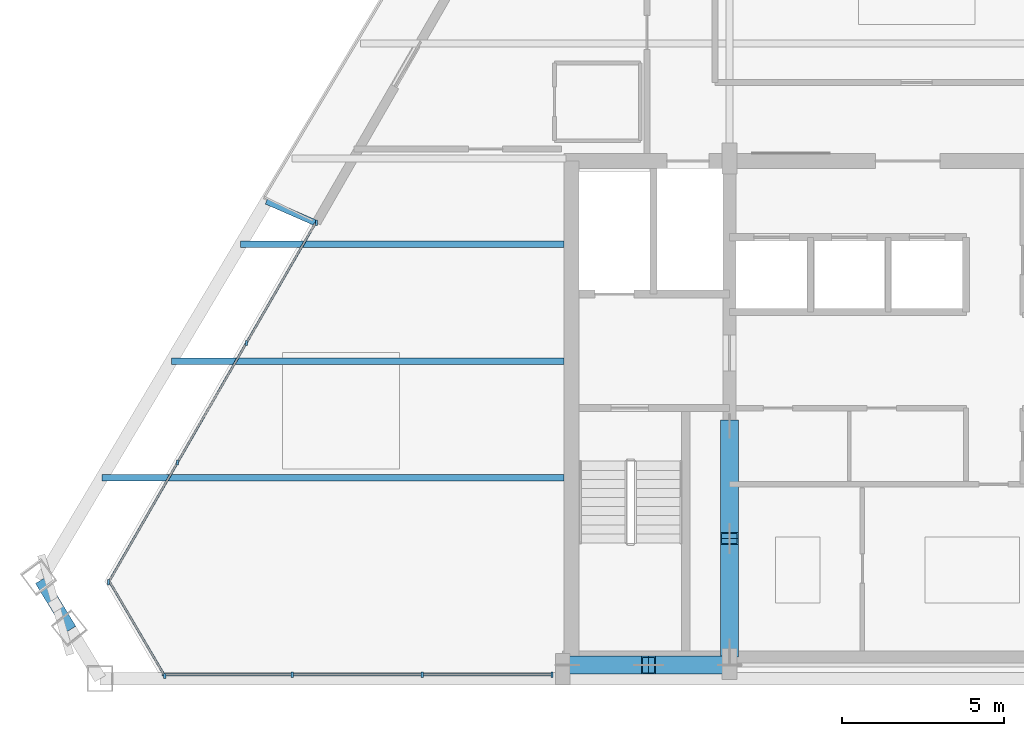
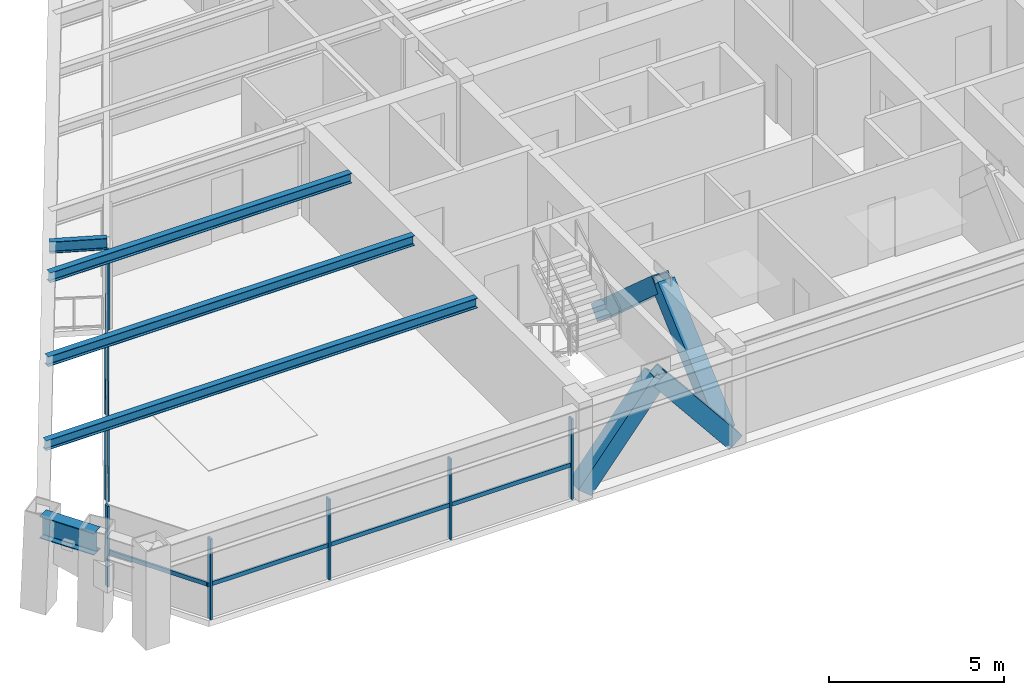
# One storey, part 2 of 13: 19 members, 5 beams, 3 elements without a shape of their own.
"""IFC4 building model written with IfcOpenShell, lengths in metres."""

import ifcopenshell
import ifcopenshell.guid

model = None  # the IFC model being written
_history = None  # IfcOwnerHistory: only IFC2X3 demands one
_inside = {}  # id of a spatial element -> (the spatial element, [elements in it])
_under = {}  # id of a project, library or spatial element -> (it, [spatial elements below it])
_declared = {}  # id of a project -> (the project, [libraries it declares])
_typed = {}  # id of a type object -> (the type object, [elements of that type])
_made_of = {}  # id of a material, layer set ... -> (it, [elements and type objects made of it])


def new_model(schema):
    """Start an empty IFC model of exactly this schema.

    Asked for "IFC4X3", IfcOpenShell would pick the latest addendum, in which some entities
    have other attributes; the version numbers below select the first issue.
    IFC2X3 requires an IfcOwnerHistory on every rooted entity: one is made here for all.
    """
    global model, _history
    if schema == "IFC4X3":
        model = ifcopenshell.file(schema_version=(4, 3, 0, 0))
    else:
        model = ifcopenshell.file(schema=schema)
    _inside.clear()
    _under.clear()
    _declared.clear()
    _typed.clear()
    _made_of.clear()
    _history = None
    if model.schema == "IFC2X3":
        org = make("IfcOrganization", Name="unknown")
        user = make(
            "IfcPersonAndOrganization",
            ThePerson=make("IfcPerson", FamilyName="unknown"),
            TheOrganization=org,
        )
        app = make(
            "IfcApplication",
            ApplicationDeveloper=org,
            Version="unknown",
            ApplicationFullName="unknown",
            ApplicationIdentifier="unknown",
        )
        _history = make(
            "IfcOwnerHistory",
            OwningUser=user,
            OwningApplication=app,
            ChangeAction="ADDED",
            CreationDate=0,
        )
    return model


def make(cls, **values):
    """One entity of the class cls with the attributes given. An attribute that is None is left unset."""
    return model.create_entity(
        cls, **{name: value for name, value in values.items() if value is not None}
    )


def rooted(cls, **values):
    """An entity with a GlobalId (a new one), such as an element, a storey or a relation."""
    return make(cls, GlobalId=ifcopenshell.guid.new(), OwnerHistory=_history, **values)


def si_unit(unit_type, name, prefix=None):
    """IfcSIUnit, for example si_unit("LENGTHUNIT", "METRE", prefix="MILLI")."""
    return make("IfcSIUnit", UnitType=unit_type, Prefix=prefix, Name=name)


def assignment(units):
    """IfcUnitAssignment: the units of a project."""
    return None if units is None else make("IfcUnitAssignment", Units=units)


def point(xyz):
    """IfcCartesianPoint."""
    return None if xyz is None else make("IfcCartesianPoint", Coordinates=xyz)


def direction(xyz):
    """IfcDirection."""
    return None if xyz is None else make("IfcDirection", DirectionRatios=xyz)


def frame(location, z_axis=None, x_axis=None):
    """IfcAxis2Placement3D, a coordinate frame: its origin and axes. An axis left out is left unset."""
    return make(
        "IfcAxis2Placement3D",
        Location=point(location),
        Axis=direction(z_axis),
        RefDirection=direction(x_axis),
    )


def frame_2d(location, x_axis=None):
    """IfcAxis2Placement2D, a coordinate frame in the plane: its origin and x axis."""
    return make(
        "IfcAxis2Placement2D", Location=point(location), RefDirection=direction(x_axis)
    )


def origin():
    """The frame at (0, 0, 0) with its axes left unset."""
    return frame((0.0, 0.0, 0.0))


def origin_2d():
    """The frame at (0, 0) in the plane with its x axis left unset."""
    return frame_2d((0.0, 0.0))


def place(relative_to, where):
    """IfcLocalPlacement: puts the frame where relative to a parent placement (None: the world)."""
    return make(
        "IfcLocalPlacement", PlacementRelTo=relative_to, RelativePlacement=where
    )


def context(
    kind, dimensions, precision=None, world=None, true_north=None, identifier=None
):
    """IfcGeometricRepresentationContext, for example the 3D "Model" context."""
    return make(
        "IfcGeometricRepresentationContext",
        ContextIdentifier=identifier,
        ContextType=kind,
        CoordinateSpaceDimension=dimensions,
        Precision=precision,
        WorldCoordinateSystem=world,
        TrueNorth=true_north,
    )


def subcontext(parent, identifier, kind, view, scale=None):
    """IfcGeometricRepresentationSubContext, for example "Body" below "Model"."""
    return make(
        "IfcGeometricRepresentationSubContext",
        ContextIdentifier=identifier,
        ContextType=kind,
        ParentContext=parent,
        TargetScale=scale,
        TargetView=view,
    )


def project(units=None, contexts=None):
    """IfcProject with its units and contexts."""
    return rooted(
        "IfcProject",
        Name="project",
        RepresentationContexts=contexts,
        UnitsInContext=assignment(units),
    )


def spatial(cls, under=None, at=None, **own):
    """A site, building, storey or space (cls), placed at a placement, below another one or the project."""
    s = rooted(cls, ObjectPlacement=at, **own)
    if under is not None:
        _under.setdefault(under.id(), (under, []))[1].append(s)
    return s


def profile(cls, at=None, kind="AREA", **sizes):
    """A parametric profile (cls). Its sizes go by their IFC names, for example OverallWidth=200.0."""
    return make(cls, ProfileType=kind, Position=at, **sizes)


def rectangle(**sizes):
    """IfcRectangleProfileDef."""
    return profile("IfcRectangleProfileDef", **sizes)


def hollow_rectangle(**sizes):
    """IfcRectangleHollowProfileDef."""
    return profile("IfcRectangleHollowProfileDef", **sizes)


def i_section(**sizes):
    """IfcIShapeProfileDef."""
    return profile("IfcIShapeProfileDef", **sizes)


def extrude(swept, where, along, depth):
    """IfcExtrudedAreaSolid: the profile swept, set in the frame where, extruded along a direction by depth."""
    return make(
        "IfcExtrudedAreaSolid",
        SweptArea=swept,
        Position=where,
        ExtrudedDirection=direction(along),
        Depth=depth,
    )


def shape(context_of_items, identifier, shape_type, items):
    """IfcShapeRepresentation: the items that make up one representation, for example the "Body"."""
    return make(
        "IfcShapeRepresentation",
        ContextOfItems=context_of_items,
        RepresentationIdentifier=identifier,
        RepresentationType=shape_type,
        Items=items,
    )


def source(mapping_origin, context_of_items, identifier, shape_type, items):
    """IfcRepresentationMap: a shape defined once, which mapped items show again and again."""
    return make(
        "IfcRepresentationMap",
        MappingOrigin=mapping_origin,
        MappedRepresentation=shape(context_of_items, identifier, shape_type, items),
    )


def transform(
    local_origin,
    x_axis=None,
    y_axis=None,
    z_axis=None,
    scale=None,
    scale2=None,
    scale3=None,
    uniform=True,
):
    """IfcCartesianTransformationOperator3D, or its non-uniform kind. x_axis, y_axis, z_axis: its Axis1, 2, 3."""
    if uniform:
        return make(
            "IfcCartesianTransformationOperator3D",
            Axis1=direction(x_axis),
            Axis2=direction(y_axis),
            LocalOrigin=point(local_origin),
            Scale=scale,
            Axis3=direction(z_axis),
        )
    return make(
        "IfcCartesianTransformationOperator3DnonUniform",
        Axis1=direction(x_axis),
        Axis2=direction(y_axis),
        LocalOrigin=point(local_origin),
        Scale=scale,
        Axis3=direction(z_axis),
        Scale2=scale2,
        Scale3=scale3,
    )


def mapped(mapping_source, mapping_target):
    """IfcMappedItem: shows the shape of a source again, moved by a transform."""
    return make(
        "IfcMappedItem", MappingSource=mapping_source, MappingTarget=mapping_target
    )


def material(Name=None, Category=None):
    """IfcMaterial."""
    return make("IfcMaterial", Name=Name, Category=Category)


def material_profile(
    of_material, cross_section, Name=None, Category=None, Priority=None
):
    """IfcMaterialProfile: a cross section and its material."""
    return make(
        "IfcMaterialProfile",
        Name=Name,
        Material=of_material,
        Profile=cross_section,
        Priority=Priority,
        Category=Category,
    )


def profile_set(profiles, Name=None, composite=None):
    """IfcMaterialProfileSet."""
    return make(
        "IfcMaterialProfileSet",
        Name=Name,
        MaterialProfiles=profiles,
        CompositeProfile=composite,
    )


def made_of(thing, what):
    """Note that an element or type object is made of a material, layer set ...; save() writes the relation."""
    if what is not None:
        _made_of.setdefault(what.id(), (what, []))[1].append(thing)
    return thing


def type_object(cls, material=None, **own):
    """A type object (cls), such as IfcWallType, which elements share."""
    return made_of(rooted(cls, **own), material)


def element(
    cls,
    number,
    at=None,
    inside=None,
    cuts=None,
    type_object=None,
    material=None,
    context=None,
    identifier="Body",
    shape_type=None,
    held_by="IfcProductDefinitionShape",
    body=None,
    shapes=None,
    **own,
):
    """One element of the class cls, such as IfcWall. Its Tag is "e" and its number.

    at: its placement. inside: the storey or other place that contains it. cuts: it is an
    opening in that element (IfcRelVoidsElement). A single representation is given by context,
    identifier, shape_type and body (its items); several are given by shapes. held_by: the class
    of the entity that holds the representations. save() writes the other relations.
    """
    e = rooted(cls, Tag="e%d" % number, ObjectPlacement=at, **own)
    if body is not None:
        shapes = [shape(context, identifier, shape_type, body)]
    if shapes is not None:
        e.Representation = make(held_by, Representations=shapes)
    if inside is not None:
        _inside.setdefault(inside.id(), (inside, []))[1].append(e)
    if cuts is not None:
        rooted(
            "IfcRelVoidsElement", RelatingBuildingElement=cuts, RelatedOpeningElement=e
        )
    if type_object is not None:
        _typed.setdefault(type_object.id(), (type_object, []))[1].append(e)
    return made_of(e, material)


def aggregate(whole, parts):
    """IfcRelAggregates: a whole, such as a stair, and the parts it consists of."""
    return rooted("IfcRelAggregates", RelatingObject=whole, RelatedObjects=parts)


def save(model, path):
    """Write the relations noted so far, then the file.

    IfcRelAggregates (storeys below a building ...), IfcRelContainedInSpatialStructure (elements
    in a storey), IfcRelDefinesByType, IfcRelAssociatesMaterial and IfcRelDeclares: one each for
    every whole, place, type object, material and project.
    """
    for whole, parts in _under.values():
        aggregate(whole, parts)
    for where, things in _inside.values():
        rooted(
            "IfcRelContainedInSpatialStructure",
            RelatedElements=things,
            RelatingStructure=where,
        )
    for kind, things in _typed.values():
        rooted("IfcRelDefinesByType", RelatedObjects=things, RelatingType=kind)
    for what, things in _made_of.values():
        rooted("IfcRelAssociatesMaterial", RelatedObjects=things, RelatingMaterial=what)
    for by, libraries in _declared.values():
        rooted("IfcRelDeclares", RelatingContext=by, RelatedDefinitions=libraries)
    model.write(path)


model = new_model("IFC4")

# Units and contexts
model_context = context("Model", 3, precision=1e-05, world=origin(), true_north=direction((0.0, 1.0)))
body_context = subcontext(model_context, "Body", "Model", "MODEL_VIEW")
ifc_project = project(units=[si_unit("LENGTHUNIT", "METRE"), si_unit("AREAUNIT", "SQUARE_METRE"), si_unit("VOLUMEUNIT", "CUBIC_METRE"), si_unit("PLANEANGLEUNIT", "RADIAN"), si_unit("MASSUNIT", "GRAM", prefix="KILO")], contexts=[model_context])

# Site, building, storey
site_placement = place(None, origin())
site = spatial("IfcSite", under=ifc_project, at=site_placement, CompositionType="ELEMENT")
building_placement = place(site_placement, origin())
building = spatial("IfcBuilding", under=site, at=building_placement, Name="Varnakhor Terracotta Tower", CompositionType="ELEMENT")
storey_placement = place(building_placement, frame((0.0, 0.0, 283.35009765625)))
storey = spatial("IfcBuildingStorey", under=building, at=storey_placement, Name="L74", CompositionType="ELEMENT", Elevation=283.35009765625)

# Beam
ifc_material_1 = material(Name="Steel S355", Category="steel")
ifc_material_profile_1 = material_profile(ifc_material_1, i_section(OverallWidth=0.202880859375, OverallDepth=0.346923828125, WebThickness=0.0078125, FlangeThickness=0.013427734375, FilletRadius=0.01806640625, at=origin_2d()), Name="W14X43")
ifc_profile_set_1 = profile_set([ifc_material_profile_1], Name="Steel S355")
beam_type_1 = type_object("IfcBeamType", Name="JST-W14X43", PredefinedType="JOIST", material=ifc_profile_set_1)
shared_shape_1 = source(origin(), body_context, "Body", "SweptSolid", [
    extrude(i_section(OverallWidth=0.202880859375, OverallDepth=0.346923828125, WebThickness=0.0078125, FlangeThickness=0.013427734375, FilletRadius=0.01806640625, at=origin_2d()), origin(), (0.0, 0.0, 1.0), 12.123046875),
])
beam_1_placement = place(storey_placement, frame((-22.72314453125, 9.800048828125, 3.06640625), z_axis=(1.0, 0.0, 0.0), x_axis=(0.0, 1.0, 0.0)))
element("IfcBeam", 1, at=beam_1_placement, inside=storey, type_object=beam_type_1, Name="L74 Floor Joist W2", PredefinedType="JOIST", context=body_context, shape_type="MappedRepresentation", body=[
    mapped(shared_shape_1, transform((0.0, 0.0, 0.0), scale=1.0)),
])

# Members
ifc_material_profile_2 = material_profile(ifc_material_1, hollow_rectangle(XDim=0.550048828125, YDim=0.550048828125, WallThickness=0.034912109375, at=origin_2d()), Name="HSS550X550X35")
ifc_profile_set_2 = profile_set([ifc_material_profile_2], Name="Steel S355")
member_type_1 = type_object("IfcMemberType", Name="MBR-MEGA-550", PredefinedType="BRACE", material=ifc_profile_set_2)
shared_shape_2 = source(origin(), body_context, "Body", "SweptSolid", [
    extrude(hollow_rectangle(XDim=0.550048828125, YDim=0.550048828125, WallThickness=0.034912109375, at=origin_2d()), origin(), (0.0, 0.0, 1.0), 4.650146484375),
])
member_1_placement = place(storey_placement, frame((-5.5, 7.800048828125, 0.0), z_axis=(0.0, -0.747316617832, 0.664468112638), x_axis=(1.0, 0.0, 0.0)))
element("IfcMember", 2, at=member_1_placement, inside=storey, type_object=member_type_1, Name="L74 Core Coupled Brace CWWB", PredefinedType="BRACE", context=body_context, shape_type="MappedRepresentation", body=[
    mapped(shared_shape_2, transform((0.0, 0.0, 0.0), scale=1.0)),
])
shared_shape_3 = source(origin(), body_context, "Body", "SweptSolid", [
    extrude(hollow_rectangle(XDim=0.550048828125, YDim=0.550048828125, WallThickness=0.034912109375, at=origin_2d()), origin(), (0.0, 0.0, 1.0), 3.974609375),
])
for number, where, z_axis, x_axis, name in (
    (3, (-10.5, 0.419921875, 0.0), (0.629000299358, 0.0, 0.777405057488), (0.0, 1.0, 0.0), "L74 Core Coupled Brace CSWA"),
    (4, (-5.5, 0.419921875, 0.0), (-0.629000299358, 0.0, 0.777405057488), (0.0, -1.0, 0.0), "L74 Core Coupled Brace CSWB"),
):
    element("IfcMember", number, at=place(storey_placement, frame(where, z_axis=z_axis, x_axis=x_axis)), inside=storey, type_object=member_type_1, Name=name, PredefinedType="BRACE", context=body_context, shape_type="MappedRepresentation", body=[
        mapped(shared_shape_3, transform((0.0, 0.0, 0.0), scale=1.0)),
    ])
shared_shape_4 = source(origin(), body_context, "Body", "SweptSolid", [
    extrude(hollow_rectangle(XDim=0.550048828125, YDim=0.550048828125, WallThickness=0.034912109375, at=origin_2d()), origin(), (0.0, 0.0, 1.0), 4.64990234375),
])
member_2_placement = place(storey_placement, frame((-5.5, 0.85009765625, 0.0), z_axis=(0.0, 0.747293435799, 0.664494184182), x_axis=(-1.0, 0.0, 0.0)))
element("IfcMember", 5, at=member_2_placement, inside=storey, type_object=member_type_1, Name="L74 Core Coupled Brace CWWA", PredefinedType="BRACE", context=body_context, shape_type="MappedRepresentation", body=[
    mapped(shared_shape_4, transform((0.0, 0.0, 0.0), scale=1.0)),
])

# Beams
ifc_material_profile_3 = material_profile(ifc_material_1, i_section(OverallWidth=0.381103515625, OverallDepth=0.77294921875, WebThickness=0.01708984375, FlangeThickness=0.027099609375, FilletRadius=0.01806640625, at=origin_2d()), Name="W30X173")
ifc_profile_set_3 = profile_set([ifc_material_profile_3], Name="Steel S355")
beam_type_2 = type_object("IfcBeamType", Name="BM-W30X173", PredefinedType="BEAM", material=ifc_profile_set_3)
shared_shape_5 = source(origin(), body_context, "Body", "SweptSolid", [
    extrude(i_section(OverallWidth=0.381103515625, OverallDepth=0.77294921875, WebThickness=0.01708984375, FlangeThickness=0.027099609375, FilletRadius=0.01806640625, at=origin_2d()), origin(), (0.0, 0.0, 1.0), 1.773681640625),
])
beam_2_placement = place(storey_placement, frame((-26.74951171875, 3.03662109375, 2.853515625), z_axis=(0.516882422428, -0.85605640082, 0.0), x_axis=(0.85605640082, 0.516882422428, 0.0)))
element("IfcBeam", 6, at=beam_2_placement, inside=storey, type_object=beam_type_2, Name="L74 Perimeter Spandrel 7", PredefinedType="BEAM", context=body_context, shape_type="MappedRepresentation", body=[
    mapped(shared_shape_5, transform((0.0, 0.0, 0.0), scale=1.0)),
])
shared_shape_6 = source(origin(), body_context, "Body", "SweptSolid", [
    extrude(i_section(OverallWidth=0.202880859375, OverallDepth=0.346923828125, WebThickness=0.0078125, FlangeThickness=0.013427734375, FilletRadius=0.01806640625, at=origin_2d()), origin(), (0.0, 0.0, 1.0), 14.26611328125),
])
beam_3_placement = place(storey_placement, frame((-24.8662109375, 6.199951171875, 3.06640625), z_axis=(1.0, 0.0, 0.0), x_axis=(0.0, 1.0, 0.0)))
element("IfcBeam", 7, at=beam_3_placement, inside=storey, type_object=beam_type_1, Name="L74 Floor Joist W1", PredefinedType="JOIST", context=body_context, shape_type="MappedRepresentation", body=[
    mapped(shared_shape_6, transform((0.0, 0.0, 0.0), scale=1.0)),
])
shared_shape_7 = source(origin(), body_context, "Body", "SweptSolid", [
    extrude(i_section(OverallWidth=0.202880859375, OverallDepth=0.346923828125, WebThickness=0.0078125, FlangeThickness=0.013427734375, FilletRadius=0.01806640625, at=origin_2d()), origin(), (0.0, 0.0, 1.0), 9.97998046875),
])
beam_4_placement = place(storey_placement, frame((-20.580078125, 13.39990234375, 3.06640625), z_axis=(1.0, 0.0, 0.0), x_axis=(0.0, 1.0, 0.0)))
element("IfcBeam", 8, at=beam_4_placement, inside=storey, type_object=beam_type_1, Name="L74 Floor Joist W3", PredefinedType="JOIST", context=body_context, shape_type="MappedRepresentation", body=[
    mapped(shared_shape_7, transform((0.0, 0.0, 0.0), scale=1.0)),
])

# Curtain wall, members
ifc_material_2 = material(Name="Anodised Aluminium Curtain Wall System", Category="aluminium")
curtain_wall_type = type_object("IfcCurtainWallType", Name="CW-SYS-HOTEL-LOGGIA", PredefinedType="NOTDEFINED", material=ifc_material_2)
curtain_wall_1_placement = place(storey_placement, origin())
curtain_wall_1 = element("IfcCurtainWall", 9, at=curtain_wall_1_placement, inside=storey, type_object=curtain_wall_type, Name="L74 W Facet Curtain Wall 1", PredefinedType="NOTDEFINED")
ifc_material_3 = material(Name="Anodised Aluminium 6063-T6", Category="aluminium")
ifc_material_profile_4 = material_profile(ifc_material_3, rectangle(XDim=0.06494140625, YDim=0.159912109375, at=origin_2d()), Name="ALU MULLION 65x160")
ifc_profile_set_4 = profile_set([ifc_material_profile_4], Name="Anodised Aluminium 6063-T6")
member_type_2 = type_object("IfcMemberType", Name="CWM-04", PredefinedType="MULLION", material=ifc_profile_set_4)
shared_shape_8 = source(origin(), body_context, "Body", "SweptSolid", [
    extrude(rectangle(XDim=0.06494140625, YDim=0.159912109375, at=origin_2d()), origin(), (0.0, 0.0, 1.0), 2.81982421875),
])
member_3_placement = place(storey_placement, frame((-24.658447265625, 2.97314453125, 0.0), z_axis=(0.0, 0.0, 1.0), x_axis=(1.0, 0.0, 0.0)))
member_3 = element("IfcMember", 10, at=member_3_placement, type_object=member_type_2, Name="L74 W Facet Curtain Wall 1 Mullion 1", PredefinedType="MULLION", context=body_context, shape_type="MappedRepresentation", body=[
    mapped(shared_shape_8, transform((0.0, 0.0, 0.0), scale=1.0)),
])
member_4_placement = place(storey_placement, frame((-22.53125, 6.667236328125, 0.0), z_axis=(0.0, 0.0, 1.0), x_axis=(1.0, 0.0, 0.0)))
member_4 = element("IfcMember", 11, at=member_4_placement, type_object=member_type_2, Name="L74 W Facet Curtain Wall 1 Mullion 2", PredefinedType="MULLION", context=body_context, shape_type="MappedRepresentation", body=[
    mapped(shared_shape_8, transform((0.0, 0.0, 0.0), scale=1.0)),
])
member_5_placement = place(storey_placement, frame((-20.404052734375, 10.361328125, 0.0), z_axis=(0.0, 0.0, 1.0), x_axis=(1.0, 0.0, 0.0)))
member_5 = element("IfcMember", 12, at=member_5_placement, type_object=member_type_2, Name="L74 W Facet Curtain Wall 1 Mullion 3", PredefinedType="MULLION", context=body_context, shape_type="MappedRepresentation", body=[
    mapped(shared_shape_8, transform((0.0, 0.0, 0.0), scale=1.0)),
])
member_6_placement = place(storey_placement, frame((-18.24462890625, 14.071533203125, 0.0), z_axis=(0.0, 0.0, 1.0), x_axis=(1.0, 0.0, 0.0)))
member_6 = element("IfcMember", 13, at=member_6_placement, type_object=member_type_2, Name="L74 W Loggia Jamb Closure Mullion 1", PredefinedType="MULLION", context=body_context, shape_type="MappedRepresentation", body=[
    mapped(shared_shape_8, transform((0.0, 0.0, 0.0), scale=1.0)),
])

curtain_wall_2_placement = place(storey_placement, origin())
curtain_wall_2 = element("IfcCurtainWall", 14, at=curtain_wall_2_placement, inside=storey, type_object=curtain_wall_type, Name="L74 South Wing Curtain Wall SSW", PredefinedType="NOTDEFINED")
member_7_placement = place(storey_placement, frame((-10.969970703125, 0.1201171875, 0.0), z_axis=(0.0, 0.0, 1.0), x_axis=(1.0, 0.0, 0.0)))
member_7 = element("IfcMember", 15, at=member_7_placement, type_object=member_type_2, Name="L74 South Wing Curtain Wall SSW Mullion 1", PredefinedType="MULLION", context=body_context, shape_type="MappedRepresentation", body=[
    mapped(shared_shape_8, transform((0.0, 0.0, 0.0), scale=1.0)),
])
member_8_placement = place(storey_placement, frame((-14.98095703125, 0.1201171875, 0.0), z_axis=(0.0, 0.0, 1.0), x_axis=(1.0, 0.0, 0.0)))
member_8 = element("IfcMember", 16, at=member_8_placement, type_object=member_type_2, Name="L74 South Wing Curtain Wall SSW Mullion 2", PredefinedType="MULLION", context=body_context, shape_type="MappedRepresentation", body=[
    mapped(shared_shape_8, transform((0.0, 0.0, 0.0), scale=1.0)),
])
member_9_placement = place(storey_placement, frame((-18.991943359375, 0.1201171875, 0.0), z_axis=(0.0, 0.0, 1.0), x_axis=(1.0, 0.0, 0.0)))
member_9 = element("IfcMember", 17, at=member_9_placement, type_object=member_type_2, Name="L74 South Wing Curtain Wall SSW Mullion 3", PredefinedType="MULLION", context=body_context, shape_type="MappedRepresentation", body=[
    mapped(shared_shape_8, transform((0.0, 0.0, 0.0), scale=1.0)),
])

# Curtain wall, member
curtain_wall_3_placement = place(storey_placement, origin())
curtain_wall_3 = element("IfcCurtainWall", 18, at=curtain_wall_3_placement, inside=storey, type_object=curtain_wall_type, Name="L74 Facet Curtain Wall 6", PredefinedType="NOTDEFINED")
member_10_placement = place(storey_placement, frame((-22.924560546875, 0.086669921875, 0.0), z_axis=(0.0, 0.0, 1.0), x_axis=(1.0, 0.0, 0.0)))
member_10 = element("IfcMember", 19, at=member_10_placement, type_object=member_type_2, Name="L74 Facet Curtain Wall 6 Mullion 1", PredefinedType="MULLION", context=body_context, shape_type="MappedRepresentation", body=[
    mapped(shared_shape_8, transform((0.0, 0.0, 0.0), scale=1.0)),
])

# Member
ifc_material_profile_5 = material_profile(ifc_material_3, rectangle(XDim=0.06494140625, YDim=0.14501953125, at=origin_2d()), Name="ALU TRANSOM 65x145")
ifc_profile_set_5 = profile_set([ifc_material_profile_5], Name="Anodised Aluminium 6063-T6")
member_type_3 = type_object("IfcMemberType", Name="CWT-04", PredefinedType="USERDEFINED", material=ifc_profile_set_5)
shared_shape_9 = source(origin(), body_context, "Body", "SweptSolid", [
    extrude(rectangle(XDim=0.06494140625, YDim=0.14501953125, at=origin_2d()), origin(), (0.0, 0.0, 1.0), 4.2626953125),
])
member_11_placement = place(storey_placement, frame((-24.658447265625, 2.97314453125, 1.184326171875), z_axis=(0.499016581823, 0.866592436539, 0.0), x_axis=(-0.866592436539, 0.499016581823, 0.0)))
member_11 = element("IfcMember", 20, at=member_11_placement, type_object=member_type_3, Name="L74 W Facet Curtain Wall 1 Transom 1", ObjectType="TRANSOM", PredefinedType="USERDEFINED", context=body_context, shape_type="MappedRepresentation", body=[
    mapped(shared_shape_9, transform((0.0, 0.0, 0.0), scale=1.0)),
])

member_12_placement = place(storey_placement, frame((-22.53125, 6.667236328125, 1.184326171875), z_axis=(0.499016581823, 0.866592436539, 0.0), x_axis=(-0.866592436539, 0.499016581823, 0.0)))
member_12 = element("IfcMember", 21, at=member_12_placement, type_object=member_type_3, Name="L74 W Facet Curtain Wall 1 Transom 2", ObjectType="TRANSOM", PredefinedType="USERDEFINED", context=body_context, shape_type="MappedRepresentation", body=[
    mapped(shared_shape_9, transform((0.0, 0.0, 0.0), scale=1.0)),
])

member_13_placement = place(storey_placement, frame((-20.404052734375, 10.361328125, 1.184326171875), z_axis=(0.499016581823, 0.866592436539, 0.0), x_axis=(-0.866592436539, 0.499016581823, 0.0)))
member_13 = element("IfcMember", 22, at=member_13_placement, type_object=member_type_3, Name="L74 W Facet Curtain Wall 1 Transom 3", ObjectType="TRANSOM", PredefinedType="USERDEFINED", context=body_context, shape_type="MappedRepresentation", body=[
    mapped(shared_shape_9, transform((0.0, 0.0, 0.0), scale=1.0)),
])

aggregate(curtain_wall_1, [member_3, member_11, member_4, member_12, member_5, member_13, member_6])

shared_shape_10 = source(origin(), body_context, "Body", "SweptSolid", [
    extrude(rectangle(XDim=0.06494140625, YDim=0.14501953125, at=origin_2d()), origin(), (0.0, 0.0, 1.0), 4.010986328125),
])
member_14_placement = place(storey_placement, frame((-10.969970703125, 0.1201171875, 1.184326171875), z_axis=(-1.0, 0.0, 0.0), x_axis=(0.0, -1.0, 0.0)))
member_14 = element("IfcMember", 23, at=member_14_placement, type_object=member_type_3, Name="L74 South Wing Curtain Wall SSW Transom 1", ObjectType="TRANSOM", PredefinedType="USERDEFINED", context=body_context, shape_type="MappedRepresentation", body=[
    mapped(shared_shape_10, transform((0.0, 0.0, 0.0), scale=1.0)),
])

member_15_placement = place(storey_placement, frame((-14.98095703125, 0.1201171875, 1.184326171875), z_axis=(-1.0, 0.0, 0.0), x_axis=(0.0, -1.0, 0.0)))
member_15 = element("IfcMember", 24, at=member_15_placement, type_object=member_type_3, Name="L74 South Wing Curtain Wall SSW Transom 2", ObjectType="TRANSOM", PredefinedType="USERDEFINED", context=body_context, shape_type="MappedRepresentation", body=[
    mapped(shared_shape_10, transform((0.0, 0.0, 0.0), scale=1.0)),
])

shared_shape_11 = source(origin(), body_context, "Body", "SweptSolid", [
    extrude(rectangle(XDim=0.06494140625, YDim=0.14501953125, at=origin_2d()), origin(), (0.0, 0.0, 1.0), 4.0107421875),
])
member_16_placement = place(storey_placement, frame((-18.991943359375, 0.1201171875, 1.184326171875), z_axis=(-1.0, 0.0, 0.0), x_axis=(0.0, -1.0, 0.0)))
member_16 = element("IfcMember", 25, at=member_16_placement, type_object=member_type_3, Name="L74 South Wing Curtain Wall SSW Transom 3", ObjectType="TRANSOM", PredefinedType="USERDEFINED", context=body_context, shape_type="MappedRepresentation", body=[
    mapped(shared_shape_11, transform((0.0, 0.0, 0.0), scale=1.0)),
])

aggregate(curtain_wall_2, [member_7, member_14, member_8, member_15, member_9, member_16])

shared_shape_12 = source(origin(), body_context, "Body", "SweptSolid", [
    extrude(rectangle(XDim=0.06494140625, YDim=0.14501953125, at=origin_2d()), origin(), (0.0, 0.0, 1.0), 3.426513671875),
])
member_17_placement = place(storey_placement, frame((-22.924560546875, 0.086669921875, 1.184326171875), z_axis=(-0.506088818454, 0.86248136666, 0.0), x_axis=(-0.86248136666, -0.506088818454, 0.0)))
member_17 = element("IfcMember", 26, at=member_17_placement, type_object=member_type_3, Name="L74 Facet Curtain Wall 6 Transom 1", ObjectType="TRANSOM", PredefinedType="USERDEFINED", context=body_context, shape_type="MappedRepresentation", body=[
    mapped(shared_shape_12, transform((0.0, 0.0, 0.0), scale=1.0)),
])

aggregate(curtain_wall_3, [member_10, member_17])

# Beam
ifc_material_profile_6 = material_profile(ifc_material_1, i_section(OverallWidth=0.179931640625, OverallDepth=0.39990234375, WebThickness=0.008544921875, FlangeThickness=0.013427734375, FilletRadius=0.01806640625, at=origin_2d()), Name="IPE400")
ifc_profile_set_6 = profile_set([ifc_material_profile_6], Name="Steel S355")
beam_type_3 = type_object("IfcBeamType", Name="JST-IPE400", PredefinedType="JOIST", material=ifc_profile_set_6)
shared_shape_13 = source(origin(), body_context, "Body", "SweptSolid", [
    extrude(i_section(OverallWidth=0.179931640625, OverallDepth=0.39990234375, WebThickness=0.008544921875, FlangeThickness=0.013427734375, FilletRadius=0.01806640625, at=origin_2d()), origin(), (0.0, 0.0, 1.0), 1.65869140625),
])
beam_5_placement = place(storey_placement, frame((-18.27001953125, 14.06298828125, 3.039794921875), z_axis=(-0.916157334902, 0.40081883402, 0.0), x_axis=(-0.40081883402, -0.916157334902, 0.0)))
element("IfcBeam", 27, at=beam_5_placement, inside=storey, type_object=beam_type_3, Name="L75 W Loggia Tie Beam 1", PredefinedType="JOIST", context=body_context, shape_type="MappedRepresentation", body=[
    mapped(shared_shape_13, transform((0.0, 0.0, 0.0), scale=1.0)),
])

save(model, "model.ifc")
